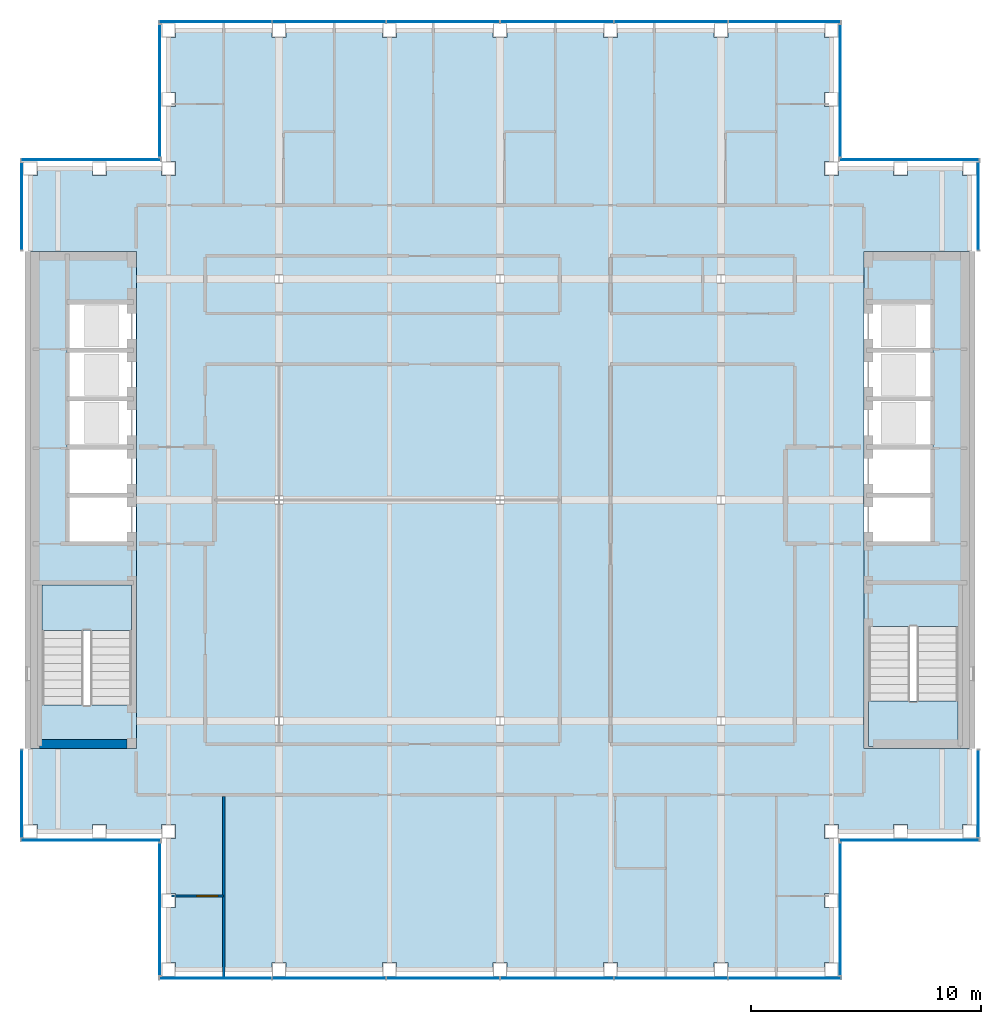
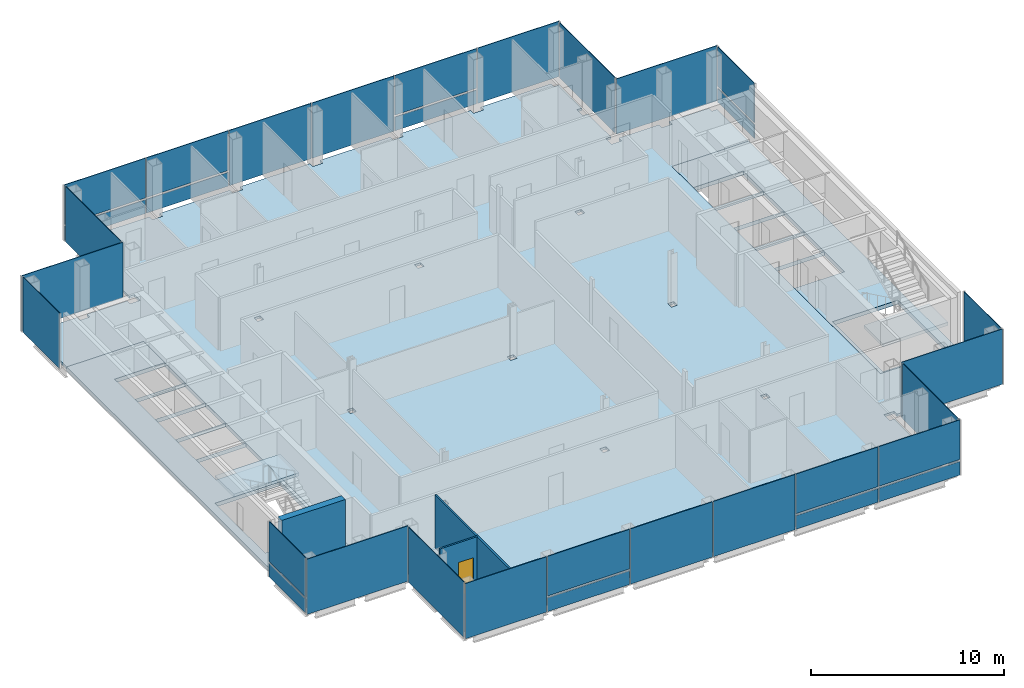
# One storey, part 9 of 15: 32 plates, 5 slabs, 3 walls, 1 door, 1 opening, 16 elements without a shape of their own.
"""IFC4 building model written with IfcOpenShell, lengths in metres."""

from ifc_helpers import new_model, si_unit, direction, frame, frame_2d, origin, origin_2d, place, context, subcontext, project, spatial, polyline, rectangle, outline, extrude, material, layer, layer_set, type_object, element, fill, aggregate, save


model = new_model("IFC4")

# Units and contexts
model_context = context("Model", 3, precision=1e-05, world=origin(), true_north=direction((0.0, 1.0)))
body_context = subcontext(model_context, "Body", "Model", "MODEL_VIEW")
ifc_project = project(units=[si_unit("LENGTHUNIT", "METRE"), si_unit("AREAUNIT", "SQUARE_METRE"), si_unit("VOLUMEUNIT", "CUBIC_METRE"), si_unit("PLANEANGLEUNIT", "RADIAN"), si_unit("MASSUNIT", "GRAM", prefix="KILO")], contexts=[model_context])

# Site, building, storey
site_placement = place(None, origin())
site = spatial("IfcSite", under=ifc_project, at=site_placement, CompositionType="ELEMENT")
building_placement = place(site_placement, origin())
building = spatial("IfcBuilding", under=site, at=building_placement, Name="Cobrizo Arcos Hotel Tower", CompositionType="ELEMENT")
storey_placement = place(building_placement, frame((0.0, 0.0, 251.5)))
storey = spatial("IfcBuildingStorey", under=building, at=storey_placement, Name="L66", CompositionType="ELEMENT", Elevation=251.5)

# Curtain wall, plates
ifc_material_1 = material(Name="Aluminium 6063-T6 anodised bronze", Category="aluminium")
curtain_wall_type = type_object("IfcCurtainWallType", Name="CW-A guest facade", PredefinedType="NOTDEFINED", material=ifc_material_1)
curtain_wall_1_placement = place(storey_placement, origin())
curtain_wall_1 = element("IfcCurtainWall", 1, at=curtain_wall_1_placement, inside=storey, type_object=curtain_wall_type, Name="CW-A L66 S face", PredefinedType="NOTDEFINED")
ifc_material_2 = material(Name="Glass clear laminated low-e", Category="glass")
ifc_layer_1 = layer(ifc_material_2, 0.0400390625)
ifc_layer_set_1 = layer_set([ifc_layer_1], Name="CW-A glass panel")
plate_type_1 = type_object("IfcPlateType", Name="CW-A glass panel", PredefinedType="CURTAIN_PANEL", material=ifc_layer_set_1)
plate_1_placement = place(storey_placement, frame((-7.425048828125, -20.77490234375, 0.990234375), z_axis=(0.0, 0.0, 1.0), x_axis=(1.0, 0.0, 0.0)))
plate_1 = element("IfcPlate", 2, at=plate_1_placement, type_object=plate_type_1, Name="CW-A glass panel 2085", PredefinedType="CURTAIN_PANEL", context=body_context, shape_type="SweptSolid", body=[
    extrude(rectangle(XDim=4.889892578125, YDim=0.0400390625, at=origin_2d()), origin(), (0.0, 0.0, 1.0), 2.510009765625),
])
plate_2_placement = place(storey_placement, frame((7.425048828125, -20.77490234375, 0.990234375), z_axis=(0.0, 0.0, 1.0), x_axis=(1.0, 0.0, 0.0)))
plate_2 = element("IfcPlate", 3, at=plate_2_placement, type_object=plate_type_1, Name="CW-A glass panel 2088", PredefinedType="CURTAIN_PANEL", context=body_context, shape_type="SweptSolid", body=[
    extrude(rectangle(XDim=4.889892578125, YDim=0.0400390625, at=origin_2d()), origin(), (0.0, 0.0, 1.0), 2.510009765625),
])
plate_3_placement = place(storey_placement, frame((12.360107421875, -20.77490234375, 0.990234375), z_axis=(0.0, 0.0, 1.0), x_axis=(1.0, 0.0, 0.0)))
plate_3 = element("IfcPlate", 4, at=plate_3_placement, type_object=plate_type_1, Name="CW-A glass panel 2089", PredefinedType="CURTAIN_PANEL", context=body_context, shape_type="SweptSolid", body=[
    extrude(rectangle(XDim=4.860107421875, YDim=0.0400390625, at=origin_2d()), origin(), (0.0, 0.0, 1.0), 2.510009765625),
])

# Curtain wall, plate
curtain_wall_2_placement = place(storey_placement, origin())
curtain_wall_2 = element("IfcCurtainWall", 5, at=curtain_wall_2_placement, inside=storey, type_object=curtain_wall_type, Name="CW-A L66 E face", PredefinedType="NOTDEFINED")
plate_4_placement = place(storey_placement, frame((20.77490234375, 12.75, 0.990234375), z_axis=(0.0, 0.0, 1.0), x_axis=(0.0, 1.0, 0.0)))
plate_4 = element("IfcPlate", 6, at=plate_4_placement, type_object=plate_type_1, Name="CW-A glass panel 2093", PredefinedType="CURTAIN_PANEL", context=body_context, shape_type="SweptSolid", body=[
    extrude(rectangle(XDim=3.780029296875, YDim=0.0400390625, at=origin_2d()), origin(), (0.0, 0.0, 1.0), 2.510009765625),
])

# Curtain wall, plates
curtain_wall_3_placement = place(storey_placement, origin())
curtain_wall_3 = element("IfcCurtainWall", 7, at=curtain_wall_3_placement, inside=storey, type_object=curtain_wall_type, Name="CW-A L66 N face", PredefinedType="NOTDEFINED")
plate_5_placement = place(storey_placement, frame((7.425048828125, 20.77490234375, 0.990234375), z_axis=(0.0, 0.0, 1.0), x_axis=(-1.0, 0.0, 0.0)))
plate_5 = element("IfcPlate", 8, at=plate_5_placement, type_object=plate_type_1, Name="CW-A glass panel 2097", PredefinedType="CURTAIN_PANEL", context=body_context, shape_type="SweptSolid", body=[
    extrude(rectangle(XDim=4.889892578125, YDim=0.0400390625, at=origin_2d()), origin(), (0.0, 0.0, 1.0), 2.510009765625),
])
plate_6_placement = place(storey_placement, frame((-7.425048828125, 20.77490234375, 0.990234375), z_axis=(0.0, 0.0, 1.0), x_axis=(-1.0, 0.0, 0.0)))
plate_6 = element("IfcPlate", 9, at=plate_6_placement, type_object=plate_type_1, Name="CW-A glass panel 2100", PredefinedType="CURTAIN_PANEL", context=body_context, shape_type="SweptSolid", body=[
    extrude(rectangle(XDim=4.889892578125, YDim=0.0400390625, at=origin_2d()), origin(), (0.0, 0.0, 1.0), 2.510009765625),
])
plate_7_placement = place(storey_placement, frame((-12.360107421875, 20.77490234375, 0.990234375), z_axis=(0.0, 0.0, 1.0), x_axis=(-1.0, 0.0, 0.0)))
plate_7 = element("IfcPlate", 10, at=plate_7_placement, type_object=plate_type_1, Name="CW-A glass panel 2101", PredefinedType="CURTAIN_PANEL", context=body_context, shape_type="SweptSolid", body=[
    extrude(rectangle(XDim=4.860107421875, YDim=0.0400390625, at=origin_2d()), origin(), (0.0, 0.0, 1.0), 2.510009765625),
])

# Curtain wall, plate
curtain_wall_4_placement = place(storey_placement, origin())
curtain_wall_4 = element("IfcCurtainWall", 11, at=curtain_wall_4_placement, inside=storey, type_object=curtain_wall_type, Name="CW-A L66 W face", PredefinedType="NOTDEFINED")
plate_8_placement = place(storey_placement, frame((-20.77490234375, -12.75, 0.990234375), z_axis=(0.0, 0.0, 1.0), x_axis=(0.0, -1.0, 0.0)))
plate_8 = element("IfcPlate", 12, at=plate_8_placement, type_object=plate_type_1, Name="CW-A glass panel 2105", PredefinedType="CURTAIN_PANEL", context=body_context, shape_type="SweptSolid", body=[
    extrude(rectangle(XDim=3.780029296875, YDim=0.0400390625, at=origin_2d()), origin(), (0.0, 0.0, 1.0), 2.510009765625),
])

# Plate
ifc_material_3 = material(Name="Aluminium composite panel pale metal", Category="aluminium")
ifc_layer_2 = layer(ifc_material_3, 0.0400390625)
ifc_layer_set_2 = layer_set([ifc_layer_2], Name="CW-A spandrel panel")
plate_type_2 = type_object("IfcPlateType", Name="CW-A spandrel panel", PredefinedType="CURTAIN_PANEL", material=ifc_layer_set_2)
plate_9_placement = place(storey_placement, frame((-12.360107421875, -20.77490234375, 0.0), z_axis=(0.0, 0.0, 1.0), x_axis=(1.0, 0.0, 0.0)))
plate_9 = element("IfcPlate", 13, at=plate_9_placement, type_object=plate_type_2, Name="CW-A spandrel panel 2084", PredefinedType="CURTAIN_PANEL", context=body_context, shape_type="SweptSolid", body=[
    extrude(rectangle(XDim=4.860107421875, YDim=0.0400390625, at=origin_2d()), origin(), (0.0, 0.0, 1.0), 3.5),
])

plate_10_placement = place(storey_placement, frame((-7.425048828125, -20.77490234375, 0.0), z_axis=(0.0, 0.0, 1.0), x_axis=(1.0, 0.0, 0.0)))
plate_10 = element("IfcPlate", 14, at=plate_10_placement, type_object=plate_type_2, Name="CW-A spandrel panel 2085", PredefinedType="CURTAIN_PANEL", context=body_context, shape_type="SweptSolid", body=[
    extrude(rectangle(XDim=4.889892578125, YDim=0.0400390625, at=origin_2d()), origin(), (0.0, 0.0, 1.0), 0.8701171875),
])

plate_11_placement = place(storey_placement, frame((-2.47509765625, -20.77490234375, 0.0), z_axis=(0.0, 0.0, 1.0), x_axis=(1.0, 0.0, 0.0)))
plate_11 = element("IfcPlate", 15, at=plate_11_placement, type_object=plate_type_2, Name="CW-A spandrel panel 2086", PredefinedType="CURTAIN_PANEL", context=body_context, shape_type="SweptSolid", body=[
    extrude(rectangle(XDim=4.889892578125, YDim=0.0400390625, at=origin_2d()), origin(), (0.0, 0.0, 1.0), 3.5),
])

plate_12_placement = place(storey_placement, frame((2.47509765625, -20.77490234375, 0.0), z_axis=(0.0, 0.0, 1.0), x_axis=(1.0, 0.0, 0.0)))
plate_12 = element("IfcPlate", 16, at=plate_12_placement, type_object=plate_type_2, Name="CW-A spandrel panel 2087", PredefinedType="CURTAIN_PANEL", context=body_context, shape_type="SweptSolid", body=[
    extrude(rectangle(XDim=4.889892578125, YDim=0.0400390625, at=origin_2d()), origin(), (0.0, 0.0, 1.0), 3.5),
])

plate_13_placement = place(storey_placement, frame((7.425048828125, -20.77490234375, 0.0), z_axis=(0.0, 0.0, 1.0), x_axis=(1.0, 0.0, 0.0)))
plate_13 = element("IfcPlate", 17, at=plate_13_placement, type_object=plate_type_2, Name="CW-A spandrel panel 2088", PredefinedType="CURTAIN_PANEL", context=body_context, shape_type="SweptSolid", body=[
    extrude(rectangle(XDim=4.889892578125, YDim=0.0400390625, at=origin_2d()), origin(), (0.0, 0.0, 1.0), 0.8701171875),
])

plate_14_placement = place(storey_placement, frame((12.360107421875, -20.77490234375, 0.0), z_axis=(0.0, 0.0, 1.0), x_axis=(1.0, 0.0, 0.0)))
plate_14 = element("IfcPlate", 18, at=plate_14_placement, type_object=plate_type_2, Name="CW-A spandrel panel 2089", PredefinedType="CURTAIN_PANEL", context=body_context, shape_type="SweptSolid", body=[
    extrude(rectangle(XDim=4.860107421875, YDim=0.0400390625, at=origin_2d()), origin(), (0.0, 0.0, 1.0), 0.8701171875),
])

aggregate(curtain_wall_1, [plate_9, plate_10, plate_1, plate_11, plate_12, plate_13, plate_2, plate_14, plate_3])

# Curtain wall, plate
curtain_wall_5_placement = place(storey_placement, origin())
curtain_wall_5 = element("IfcCurtainWall", 19, at=curtain_wall_5_placement, inside=storey, type_object=curtain_wall_type, Name="CW-A L66 E face", PredefinedType="NOTDEFINED")
plate_15_placement = place(storey_placement, frame((14.77490234375, -17.77490234375, 0.0), z_axis=(0.0, 0.0, 1.0), x_axis=(0.0, 1.0, 0.0)))
plate_15 = element("IfcPlate", 20, at=plate_15_placement, type_object=plate_type_2, Name="CW-A spandrel panel 2090", PredefinedType="CURTAIN_PANEL", context=body_context, shape_type="SweptSolid", body=[
    extrude(rectangle(XDim=5.72998046875, YDim=0.0400390625, at=origin_2d()), origin(), (0.0, 0.0, 1.0), 3.5),
])
aggregate(curtain_wall_5, [plate_15])

curtain_wall_6_placement = place(storey_placement, origin())
curtain_wall_6 = element("IfcCurtainWall", 21, at=curtain_wall_6_placement, inside=storey, type_object=curtain_wall_type, Name="CW-A L66 S face", PredefinedType="NOTDEFINED")
plate_16_placement = place(storey_placement, frame((17.77490234375, -14.77490234375, 0.0), z_axis=(0.0, 0.0, 1.0), x_axis=(1.0, 0.0, 0.0)))
plate_16 = element("IfcPlate", 22, at=plate_16_placement, type_object=plate_type_2, Name="CW-A spandrel panel 2091", PredefinedType="CURTAIN_PANEL", context=body_context, shape_type="SweptSolid", body=[
    extrude(rectangle(XDim=6.030029296875, YDim=0.0400390625, at=origin_2d()), origin(), (0.0, 0.0, 1.0), 3.5),
])
aggregate(curtain_wall_6, [plate_16])

curtain_wall_7_placement = place(storey_placement, origin())
curtain_wall_7 = element("IfcCurtainWall", 23, at=curtain_wall_7_placement, inside=storey, type_object=curtain_wall_type, Name="CW-A L66 E face", PredefinedType="NOTDEFINED")
plate_17_placement = place(storey_placement, frame((20.77490234375, -12.75, 0.0), z_axis=(0.0, 0.0, 1.0), x_axis=(0.0, 1.0, 0.0)))
plate_17 = element("IfcPlate", 24, at=plate_17_placement, type_object=plate_type_2, Name="CW-A spandrel panel 2092", PredefinedType="CURTAIN_PANEL", context=body_context, shape_type="SweptSolid", body=[
    extrude(rectangle(XDim=3.780029296875, YDim=0.0400390625, at=origin_2d()), origin(), (0.0, 0.0, 1.0), 3.5),
])
aggregate(curtain_wall_7, [plate_17])

# Plate
plate_18_placement = place(storey_placement, frame((20.77490234375, 12.75, 0.0), z_axis=(0.0, 0.0, 1.0), x_axis=(0.0, 1.0, 0.0)))
plate_18 = element("IfcPlate", 25, at=plate_18_placement, type_object=plate_type_2, Name="CW-A spandrel panel 2093", PredefinedType="CURTAIN_PANEL", context=body_context, shape_type="SweptSolid", body=[
    extrude(rectangle(XDim=3.780029296875, YDim=0.0400390625, at=origin_2d()), origin(), (0.0, 0.0, 1.0), 0.8701171875),
])

aggregate(curtain_wall_2, [plate_18, plate_4])

# Curtain wall, plate
curtain_wall_8_placement = place(storey_placement, origin())
curtain_wall_8 = element("IfcCurtainWall", 26, at=curtain_wall_8_placement, inside=storey, type_object=curtain_wall_type, Name="CW-A L66 N face", PredefinedType="NOTDEFINED")
plate_19_placement = place(storey_placement, frame((17.77490234375, 14.77490234375, 0.0), z_axis=(0.0, 0.0, 1.0), x_axis=(-1.0, 0.0, 0.0)))
plate_19 = element("IfcPlate", 27, at=plate_19_placement, type_object=plate_type_2, Name="CW-A spandrel panel 2094", PredefinedType="CURTAIN_PANEL", context=body_context, shape_type="SweptSolid", body=[
    extrude(rectangle(XDim=6.030029296875, YDim=0.0400390625, at=origin_2d()), origin(), (0.0, 0.0, 1.0), 3.5),
])
aggregate(curtain_wall_8, [plate_19])

curtain_wall_9_placement = place(storey_placement, origin())
curtain_wall_9 = element("IfcCurtainWall", 28, at=curtain_wall_9_placement, inside=storey, type_object=curtain_wall_type, Name="CW-A L66 E face", PredefinedType="NOTDEFINED")
plate_20_placement = place(storey_placement, frame((14.77490234375, 17.77490234375, 0.0), z_axis=(0.0, 0.0, 1.0), x_axis=(0.0, 1.0, 0.0)))
plate_20 = element("IfcPlate", 29, at=plate_20_placement, type_object=plate_type_2, Name="CW-A spandrel panel 2095", PredefinedType="CURTAIN_PANEL", context=body_context, shape_type="SweptSolid", body=[
    extrude(rectangle(XDim=5.72998046875, YDim=0.0400390625, at=origin_2d()), origin(), (0.0, 0.0, 1.0), 3.5),
])
aggregate(curtain_wall_9, [plate_20])

# Plate
plate_21_placement = place(storey_placement, frame((12.360107421875, 20.77490234375, 0.0), z_axis=(0.0, 0.0, 1.0), x_axis=(-1.0, 0.0, 0.0)))
plate_21 = element("IfcPlate", 30, at=plate_21_placement, type_object=plate_type_2, Name="CW-A spandrel panel 2096", PredefinedType="CURTAIN_PANEL", context=body_context, shape_type="SweptSolid", body=[
    extrude(rectangle(XDim=4.860107421875, YDim=0.0400390625, at=origin_2d()), origin(), (0.0, 0.0, 1.0), 3.5),
])

plate_22_placement = place(storey_placement, frame((7.425048828125, 20.77490234375, 0.0), z_axis=(0.0, 0.0, 1.0), x_axis=(-1.0, 0.0, 0.0)))
plate_22 = element("IfcPlate", 31, at=plate_22_placement, type_object=plate_type_2, Name="CW-A spandrel panel 2097", PredefinedType="CURTAIN_PANEL", context=body_context, shape_type="SweptSolid", body=[
    extrude(rectangle(XDim=4.889892578125, YDim=0.0400390625, at=origin_2d()), origin(), (0.0, 0.0, 1.0), 0.8701171875),
])

plate_23_placement = place(storey_placement, frame((2.47509765625, 20.77490234375, 0.0), z_axis=(0.0, 0.0, 1.0), x_axis=(-1.0, 0.0, 0.0)))
plate_23 = element("IfcPlate", 32, at=plate_23_placement, type_object=plate_type_2, Name="CW-A spandrel panel 2098", PredefinedType="CURTAIN_PANEL", context=body_context, shape_type="SweptSolid", body=[
    extrude(rectangle(XDim=4.889892578125, YDim=0.0400390625, at=origin_2d()), origin(), (0.0, 0.0, 1.0), 3.5),
])

plate_24_placement = place(storey_placement, frame((-2.47509765625, 20.77490234375, 0.0), z_axis=(0.0, 0.0, 1.0), x_axis=(-1.0, 0.0, 0.0)))
plate_24 = element("IfcPlate", 33, at=plate_24_placement, type_object=plate_type_2, Name="CW-A spandrel panel 2099", PredefinedType="CURTAIN_PANEL", context=body_context, shape_type="SweptSolid", body=[
    extrude(rectangle(XDim=4.889892578125, YDim=0.0400390625, at=origin_2d()), origin(), (0.0, 0.0, 1.0), 3.5),
])

plate_25_placement = place(storey_placement, frame((-7.425048828125, 20.77490234375, 0.0), z_axis=(0.0, 0.0, 1.0), x_axis=(-1.0, 0.0, 0.0)))
plate_25 = element("IfcPlate", 34, at=plate_25_placement, type_object=plate_type_2, Name="CW-A spandrel panel 2100", PredefinedType="CURTAIN_PANEL", context=body_context, shape_type="SweptSolid", body=[
    extrude(rectangle(XDim=4.889892578125, YDim=0.0400390625, at=origin_2d()), origin(), (0.0, 0.0, 1.0), 0.8701171875),
])

plate_26_placement = place(storey_placement, frame((-12.360107421875, 20.77490234375, 0.0), z_axis=(0.0, 0.0, 1.0), x_axis=(-1.0, 0.0, 0.0)))
plate_26 = element("IfcPlate", 35, at=plate_26_placement, type_object=plate_type_2, Name="CW-A spandrel panel 2101", PredefinedType="CURTAIN_PANEL", context=body_context, shape_type="SweptSolid", body=[
    extrude(rectangle(XDim=4.860107421875, YDim=0.0400390625, at=origin_2d()), origin(), (0.0, 0.0, 1.0), 0.8701171875),
])

aggregate(curtain_wall_3, [plate_21, plate_22, plate_5, plate_23, plate_24, plate_25, plate_6, plate_26, plate_7])

# Curtain wall, plate
curtain_wall_10_placement = place(storey_placement, origin())
curtain_wall_10 = element("IfcCurtainWall", 36, at=curtain_wall_10_placement, inside=storey, type_object=curtain_wall_type, Name="CW-A L66 W face", PredefinedType="NOTDEFINED")
plate_27_placement = place(storey_placement, frame((-14.77490234375, 17.77490234375, 0.0), z_axis=(0.0, 0.0, 1.0), x_axis=(0.0, -1.0, 0.0)))
plate_27 = element("IfcPlate", 37, at=plate_27_placement, type_object=plate_type_2, Name="CW-A spandrel panel 2102", PredefinedType="CURTAIN_PANEL", context=body_context, shape_type="SweptSolid", body=[
    extrude(rectangle(XDim=5.72998046875, YDim=0.0400390625, at=origin_2d()), origin(), (0.0, 0.0, 1.0), 3.5),
])
aggregate(curtain_wall_10, [plate_27])

curtain_wall_11_placement = place(storey_placement, origin())
curtain_wall_11 = element("IfcCurtainWall", 38, at=curtain_wall_11_placement, inside=storey, type_object=curtain_wall_type, Name="CW-A L66 N face", PredefinedType="NOTDEFINED")
plate_28_placement = place(storey_placement, frame((-17.77490234375, 14.77490234375, 0.0), z_axis=(0.0, 0.0, 1.0), x_axis=(-1.0, 0.0, 0.0)))
plate_28 = element("IfcPlate", 39, at=plate_28_placement, type_object=plate_type_2, Name="CW-A spandrel panel 2103", PredefinedType="CURTAIN_PANEL", context=body_context, shape_type="SweptSolid", body=[
    extrude(rectangle(XDim=6.030029296875, YDim=0.0400390625, at=origin_2d()), origin(), (0.0, 0.0, 1.0), 3.5),
])
aggregate(curtain_wall_11, [plate_28])

curtain_wall_12_placement = place(storey_placement, origin())
curtain_wall_12 = element("IfcCurtainWall", 40, at=curtain_wall_12_placement, inside=storey, type_object=curtain_wall_type, Name="CW-A L66 W face", PredefinedType="NOTDEFINED")
plate_29_placement = place(storey_placement, frame((-20.77490234375, 12.75, 0.0), z_axis=(0.0, 0.0, 1.0), x_axis=(0.0, -1.0, 0.0)))
plate_29 = element("IfcPlate", 41, at=plate_29_placement, type_object=plate_type_2, Name="CW-A spandrel panel 2104", PredefinedType="CURTAIN_PANEL", context=body_context, shape_type="SweptSolid", body=[
    extrude(rectangle(XDim=3.780029296875, YDim=0.0400390625, at=origin_2d()), origin(), (0.0, 0.0, 1.0), 3.5),
])
aggregate(curtain_wall_12, [plate_29])

# Plate
plate_30_placement = place(storey_placement, frame((-20.77490234375, -12.75, 0.0), z_axis=(0.0, 0.0, 1.0), x_axis=(0.0, -1.0, 0.0)))
plate_30 = element("IfcPlate", 42, at=plate_30_placement, type_object=plate_type_2, Name="CW-A spandrel panel 2105", PredefinedType="CURTAIN_PANEL", context=body_context, shape_type="SweptSolid", body=[
    extrude(rectangle(XDim=3.780029296875, YDim=0.0400390625, at=origin_2d()), origin(), (0.0, 0.0, 1.0), 0.8701171875),
])

aggregate(curtain_wall_4, [plate_30, plate_8])

# Curtain wall, plate
curtain_wall_13_placement = place(storey_placement, origin())
curtain_wall_13 = element("IfcCurtainWall", 43, at=curtain_wall_13_placement, inside=storey, type_object=curtain_wall_type, Name="CW-A L66 S face", PredefinedType="NOTDEFINED")
plate_31_placement = place(storey_placement, frame((-17.77490234375, -14.77490234375, 0.0), z_axis=(0.0, 0.0, 1.0), x_axis=(1.0, 0.0, 0.0)))
plate_31 = element("IfcPlate", 44, at=plate_31_placement, type_object=plate_type_2, Name="CW-A spandrel panel 2106", PredefinedType="CURTAIN_PANEL", context=body_context, shape_type="SweptSolid", body=[
    extrude(rectangle(XDim=6.030029296875, YDim=0.0400390625, at=origin_2d()), origin(), (0.0, 0.0, 1.0), 3.5),
])
aggregate(curtain_wall_13, [plate_31])

curtain_wall_14_placement = place(storey_placement, origin())
curtain_wall_14 = element("IfcCurtainWall", 45, at=curtain_wall_14_placement, inside=storey, type_object=curtain_wall_type, Name="CW-A L66 W face", PredefinedType="NOTDEFINED")
plate_32_placement = place(storey_placement, frame((-14.77490234375, -17.77490234375, 0.0), z_axis=(0.0, 0.0, 1.0), x_axis=(0.0, -1.0, 0.0)))
plate_32 = element("IfcPlate", 46, at=plate_32_placement, type_object=plate_type_2, Name="CW-A spandrel panel 2107", PredefinedType="CURTAIN_PANEL", context=body_context, shape_type="SweptSolid", body=[
    extrude(rectangle(XDim=5.72998046875, YDim=0.0400390625, at=origin_2d()), origin(), (0.0, 0.0, 1.0), 3.5),
])
aggregate(curtain_wall_14, [plate_32])

# Slabs
ifc_material_4 = material(Name="Concrete f'c 35 MPa", Category="concrete")
ifc_layer_3 = layer(ifc_material_4, 0.14990234375)
ifc_layer_set_3 = layer_set([ifc_layer_3], Name="Composite floor slab 150 f'c 35")
slab_type_1 = type_object("IfcSlabType", Name="Composite floor slab 150 f'c 35", PredefinedType="FLOOR", material=ifc_layer_set_3)
slab_1_placement = place(storey_placement, frame((0.0, 0.0, -0.14990234375)))
element("IfcSlab", 47, at=slab_1_placement, inside=storey, type_object=slab_type_1, Name="Floor slab S5, L66, no. 01", PredefinedType="FLOOR", context=body_context, shape_type="SweptSolid", body=[
    extrude(outline(polyline([(-14.10009765625, -20.39990234375), (-14.10009765625, -20.10009765625), (-14.39990234375, -20.10009765625), (-14.39990234375, -17.699951171875), (-14.10009765625, -17.699951171875), (-14.10009765625, -17.10009765625), (-14.39990234375, -17.10009765625), (-14.39990234375, -14.699951171875), (-14.10009765625, -14.699951171875), (-14.10009765625, -14.10009765625), (-14.699951171875, -14.10009765625), (-14.699951171875, -14.39990234375), (-17.10009765625, -14.39990234375), (-17.10009765625, -14.10009765625), (-17.699951171875, -14.10009765625), (-17.699951171875, -14.39990234375), (-20.10009765625, -14.39990234375), (-20.10009765625, -14.10009765625), (-20.39990234375, -14.10009765625), (-20.39990234375, -10.800048828125), (-15.800048828125, -10.800048828125), (-15.800048828125, 10.800048828125), (-20.39990234375, 10.800048828125), (-20.39990234375, 14.10009765625), (-20.10009765625, 14.10009765625), (-20.10009765625, 14.39990234375), (-17.699951171875, 14.39990234375), (-17.699951171875, 14.10009765625), (-17.10009765625, 14.10009765625), (-17.10009765625, 14.39990234375), (-14.699951171875, 14.39990234375), (-14.699951171875, 14.10009765625), (-14.10009765625, 14.10009765625), (-14.10009765625, 14.699951171875), (-14.39990234375, 14.699951171875), (-14.39990234375, 17.10009765625), (-14.10009765625, 17.10009765625), (-14.10009765625, 17.699951171875), (-14.39990234375, 17.699951171875), (-14.39990234375, 20.10009765625), (-14.10009765625, 20.10009765625), (-14.10009765625, 20.39990234375), (-9.89990234375, 20.39990234375), (-9.89990234375, 20.10009765625), (-9.300048828125, 20.10009765625), (-9.300048828125, 20.39990234375), (-5.10009765625, 20.39990234375), (-5.10009765625, 20.10009765625), (-4.5, 20.10009765625), (-4.5, 20.39990234375), (-0.300048828125, 20.39990234375), (-0.300048828125, 20.10009765625), (0.300048828125, 20.10009765625), (0.300048828125, 20.39990234375), (4.5, 20.39990234375), (4.5, 20.10009765625), (5.10009765625, 20.10009765625), (5.10009765625, 20.39990234375), (9.300048828125, 20.39990234375), (9.300048828125, 20.10009765625), (9.89990234375, 20.10009765625), (9.89990234375, 20.39990234375), (14.10009765625, 20.39990234375), (14.10009765625, 20.10009765625), (14.39990234375, 20.10009765625), (14.39990234375, 17.699951171875), (14.10009765625, 17.699951171875), (14.10009765625, 17.10009765625), (14.39990234375, 17.10009765625), (14.39990234375, 14.699951171875), (14.10009765625, 14.699951171875), (14.10009765625, 14.10009765625), (14.699951171875, 14.10009765625), (14.699951171875, 14.39990234375), (17.10009765625, 14.39990234375), (17.10009765625, 14.10009765625), (17.699951171875, 14.10009765625), (17.699951171875, 14.39990234375), (20.10009765625, 14.39990234375), (20.10009765625, 14.10009765625), (20.39990234375, 14.10009765625), (20.39990234375, 10.800048828125), (15.800048828125, 10.800048828125), (15.800048828125, -10.800048828125), (20.39990234375, -10.800048828125), (20.39990234375, -14.10009765625), (20.10009765625, -14.10009765625), (20.10009765625, -14.39990234375), (17.699951171875, -14.39990234375), (17.699951171875, -14.10009765625), (17.10009765625, -14.10009765625), (17.10009765625, -14.39990234375), (14.699951171875, -14.39990234375), (14.699951171875, -14.10009765625), (14.10009765625, -14.10009765625), (14.10009765625, -14.699951171875), (14.39990234375, -14.699951171875), (14.39990234375, -17.10009765625), (14.10009765625, -17.10009765625), (14.10009765625, -17.699951171875), (14.39990234375, -17.699951171875), (14.39990234375, -20.10009765625), (14.10009765625, -20.10009765625), (14.10009765625, -20.39990234375), (9.89990234375, -20.39990234375), (9.89990234375, -20.10009765625), (9.300048828125, -20.10009765625), (9.300048828125, -20.39990234375), (5.10009765625, -20.39990234375), (5.10009765625, -20.10009765625), (4.5, -20.10009765625), (4.5, -20.39990234375), (0.300048828125, -20.39990234375), (0.300048828125, -20.10009765625), (-0.300048828125, -20.10009765625), (-0.300048828125, -20.39990234375), (-4.5, -20.39990234375), (-4.5, -20.10009765625), (-5.10009765625, -20.10009765625), (-5.10009765625, -20.39990234375), (-9.300048828125, -20.39990234375), (-9.300048828125, -20.10009765625), (-9.89990234375, -20.10009765625), (-9.89990234375, -20.39990234375), (-14.10009765625, -20.39990234375)]), holes=[polyline([(-9.415771484375, -9.7841796875), (-9.415771484375, -9.415771484375), (-9.7841796875, -9.415771484375), (-9.7841796875, -9.7841796875), (-9.415771484375, -9.7841796875)]), polyline([(-9.415771484375, -0.18408203125), (-9.415771484375, 0.18408203125), (-9.7841796875, 0.18408203125), (-9.7841796875, -0.18408203125), (-9.415771484375, -0.18408203125)]), polyline([(-9.7841796875, 9.415771484375), (-9.415771484375, 9.415771484375), (-9.415771484375, 9.7841796875), (-9.7841796875, 9.7841796875), (-9.7841796875, 9.415771484375)]), polyline([(-0.18408203125, -9.7841796875), (0.18408203125, -9.7841796875), (0.18408203125, -9.415771484375), (-0.18408203125, -9.415771484375), (-0.18408203125, -9.7841796875)]), polyline([(9.415771484375, -9.7841796875), (9.7841796875, -9.7841796875), (9.7841796875, -9.415771484375), (9.415771484375, -9.415771484375), (9.415771484375, -9.7841796875)]), polyline([(0.18408203125, -0.18408203125), (0.18408203125, 0.18408203125), (-0.18408203125, 0.18408203125), (-0.18408203125, -0.18408203125), (0.18408203125, -0.18408203125)]), polyline([(9.7841796875, -0.18408203125), (9.7841796875, 0.18408203125), (9.415771484375, 0.18408203125), (9.415771484375, -0.18408203125), (9.7841796875, -0.18408203125)]), polyline([(0.18408203125, 9.415771484375), (0.18408203125, 9.7841796875), (-0.18408203125, 9.7841796875), (-0.18408203125, 9.415771484375), (0.18408203125, 9.415771484375)]), polyline([(9.415771484375, 9.415771484375), (9.7841796875, 9.415771484375), (9.7841796875, 9.7841796875), (9.415771484375, 9.7841796875), (9.415771484375, 9.415771484375)])]), origin(), (0.0, 0.0, 1.0), 0.14990234375),
])
ifc_material_5 = material(Name="Concrete f'c 40 MPa", Category="concrete")
ifc_layer_4 = layer(ifc_material_5, 0.25)
ifc_layer_set_4 = layer_set([ifc_layer_4], Name="RC core floor slab 250 f'c 40")
slab_type_2 = type_object("IfcSlabType", Name="RC core floor slab 250 f'c 40", PredefinedType="FLOOR", material=ifc_layer_set_4)
slab_2_placement = place(storey_placement, frame((0.0, 0.0, -0.25)))
element("IfcSlab", 48, at=slab_2_placement, inside=storey, type_object=slab_type_2, Name="Core floor slab CS7, east core, L66", PredefinedType="FLOOR", context=body_context, shape_type="SweptSolid", body=[
    extrude(outline(polyline([(15.800048828125, 10.800048828125), (20.39990234375, 10.800048828125), (20.39990234375, -10.800048828125), (15.800048828125, -10.800048828125), (15.800048828125, 10.800048828125)]), holes=[polyline([(19.89794921875, -10.697998046875), (19.89794921875, -5.501953125), (16.001953125, -5.501953125), (16.001953125, -10.697998046875), (19.89794921875, -10.697998046875)]), polyline([(15.802001953125, 0.197998046875), (15.802001953125, -1.89794921875), (18.798095703125, -1.89794921875), (18.798095703125, 0.197998046875), (15.802001953125, 0.197998046875)]), polyline([(15.802001953125, 2.298095703125), (15.802001953125, 0.201904296875), (18.798095703125, 0.201904296875), (18.798095703125, 2.298095703125), (15.802001953125, 2.298095703125)]), polyline([(15.802001953125, 4.39794921875), (15.802001953125, 2.302001953125), (18.798095703125, 2.302001953125), (18.798095703125, 4.39794921875), (15.802001953125, 4.39794921875)]), polyline([(18.798095703125, 6.498046875), (15.802001953125, 6.498046875), (15.802001953125, 4.402099609375), (18.798095703125, 4.402099609375), (18.798095703125, 6.498046875)]), polyline([(18.798095703125, 8.597900390625), (15.802001953125, 8.597900390625), (15.802001953125, 6.501953125), (18.798095703125, 6.501953125), (18.798095703125, 8.597900390625)])]), origin(), (0.0, 0.0, 1.0), 0.25),
])
slab_3_placement = place(storey_placement, frame((0.0, 0.0, -0.25)))
element("IfcSlab", 49, at=slab_3_placement, inside=storey, type_object=slab_type_2, Name="Core floor slab CS7, west core, L66", PredefinedType="FLOOR", context=body_context, shape_type="SweptSolid", body=[
    extrude(outline(polyline([(-20.39990234375, 10.800048828125), (-15.800048828125, 10.800048828125), (-15.800048828125, -10.800048828125), (-20.39990234375, -10.800048828125), (-20.39990234375, 10.800048828125)]), holes=[polyline([(-19.89794921875, -3.701904296875), (-19.89794921875, -8.89794921875), (-16.001953125, -8.89794921875), (-16.001953125, -3.701904296875), (-19.89794921875, -3.701904296875)]), polyline([(-18.798095703125, 0.197998046875), (-18.798095703125, -1.89794921875), (-15.802001953125, -1.89794921875), (-15.802001953125, 0.197998046875), (-18.798095703125, 0.197998046875)]), polyline([(-18.798095703125, 2.298095703125), (-18.798095703125, 0.201904296875), (-15.802001953125, 0.201904296875), (-15.802001953125, 2.298095703125), (-18.798095703125, 2.298095703125)]), polyline([(-18.798095703125, 4.39794921875), (-18.798095703125, 2.302001953125), (-15.802001953125, 2.302001953125), (-15.802001953125, 4.39794921875), (-18.798095703125, 4.39794921875)]), polyline([(-15.802001953125, 6.498046875), (-18.798095703125, 6.498046875), (-18.798095703125, 4.402099609375), (-15.802001953125, 4.402099609375), (-15.802001953125, 6.498046875)]), polyline([(-15.802001953125, 8.597900390625), (-18.798095703125, 8.597900390625), (-18.798095703125, 6.501953125), (-15.802001953125, 6.501953125), (-15.802001953125, 8.597900390625)])]), origin(), (0.0, 0.0, 1.0), 0.25),
])

# Stair, slab
stair_type = type_object("IfcStairType", Name="Exit stair", PredefinedType="HALF_TURN_STAIR", material=ifc_material_5)
stair_1_placement = place(storey_placement, origin())
stair_1 = element("IfcStair", 50, at=stair_1_placement, inside=storey, type_object=stair_type, Name="L66 Exit stair ST-W", PredefinedType="HALF_TURN_STAIR")
ifc_layer_5 = layer(ifc_material_5, 0.199951171875)
ifc_layer_set_5 = layer_set([ifc_layer_5], Name="Stair landing")
slab_type_3 = type_object("IfcSlabType", Name="Stair landing", PredefinedType="LANDING", material=ifc_layer_set_5)
slab_4_placement = place(storey_placement, frame((0.0, 0.0, 1.550048828125)))
slab_4 = element("IfcSlab", 51, at=slab_4_placement, type_object=slab_type_3, Name="ST-W landing 1", PredefinedType="LANDING", context=body_context, shape_type="SweptSolid", body=[
    extrude(outline(polyline([(-16.0, -5.659912109375), (-16.0, -3.699951171875), (-19.89990234375, -3.699951171875), (-19.89990234375, -5.659912109375), (-16.0, -5.659912109375)])), origin(), (0.0, 0.0, 1.0), 0.199951171875),
])
aggregate(stair_1, [slab_4])

stair_2_placement = place(storey_placement, origin())
stair_2 = element("IfcStair", 52, at=stair_2_placement, inside=storey, type_object=stair_type, Name="L66 Exit stair ST-E", PredefinedType="HALF_TURN_STAIR")
slab_5_placement = place(storey_placement, frame((0.0, 0.0, 1.550048828125)))
slab_5 = element("IfcSlab", 53, at=slab_5_placement, type_object=slab_type_3, Name="ST-E landing 1", PredefinedType="LANDING", context=body_context, shape_type="SweptSolid", body=[
    extrude(outline(polyline([(16.0, -8.739990234375), (16.0, -10.699951171875), (19.89990234375, -10.699951171875), (19.89990234375, -8.739990234375), (16.0, -8.739990234375)])), origin(), (0.0, 0.0, 1.0), 0.199951171875),
])
aggregate(stair_2, [slab_5])

# Wall, opening, door
ifc_material_6 = material(Name="Gypsum board partition")
ifc_layer_6 = layer(ifc_material_6, 0.10009765625)
ifc_layer_set_6 = layer_set([ifc_layer_6], Name="Partition EI 30 100")
wall_type_1 = type_object("IfcWallType", Name="Partition EI 30 100", PredefinedType="PARTITIONING", material=ifc_layer_set_6)
wall_1_placement = place(storey_placement, frame((-14.280029296875, -17.199951171875, 0.0), z_axis=(0.0, 0.0, 1.0), x_axis=(1.0, 0.0, 0.0)))
wall_1 = element("IfcWall", 54, at=wall_1_placement, inside=storey, type_object=wall_type_1, Name="Partition 001", PredefinedType="PARTITIONING", context=body_context, shape_type="SweptSolid", body=[
    extrude(rectangle(XDim=2.280029296875, YDim=0.10009765625, at=frame_2d((1.14013671875, 0.0))), origin(), (0.0, 0.0, 1.0), 3.35009765625),
])
opening_placement = place(wall_1_placement, frame((1.110107421875, 0.0, 0.0)))
opening = element("IfcOpeningElement", 55, at=opening_placement, cuts=wall_1, Name="Opening ED-06", PredefinedType="OPENING", context=body_context, shape_type="SweptSolid", body=[
    extrude(rectangle(XDim=0.89990234375, YDim=2.10009765625, at=frame_2d((0.449951171875, 1.050048828125))), frame((0.0, 0.06201171875, 0.0), z_axis=(0.0, -1.0, 0.0), x_axis=(1.0, 0.0, 0.0)), (0.0, 0.0, 1.0), 0.1240234375),
])
ifc_material_7 = material(Name="Timber door leaf", Category="wood")
door_type = type_object("IfcDoorType", Name="En-suite door 900x2100", OperationType="SINGLE_SWING_LEFT", PredefinedType="DOOR", material=ifc_material_7)
door_placement = place(opening_placement, origin())
door = element("IfcDoor", 56, at=door_placement, inside=storey, type_object=door_type, Name="Door ED-06", OperationType="SINGLE_SWING_LEFT", OverallHeight=2.10009765625, OverallWidth=0.89990234375, PredefinedType="DOOR", context=body_context, shape_type="SweptSolid", body=[
    extrude(rectangle(XDim=0.89990234375, YDim=2.10009765625, at=frame_2d((0.449951171875, 1.050048828125))), frame((0.0, 0.02490234375, 0.0), z_axis=(0.0, -1.0, 0.0), x_axis=(1.0, 0.0, 0.0)), (0.0, 0.0, 1.0), 0.050048828125),
])
fill(opening, door)

# Walls
wall_2_placement = place(storey_placement, frame((-12.0, -20.72998046875, 0.0), z_axis=(0.0, 0.0, 1.0), x_axis=(0.0, 1.0, 0.0)))
element("IfcWall", 57, at=wall_2_placement, inside=storey, type_object=wall_type_1, Name="Partition 056", PredefinedType="PARTITIONING", context=body_context, shape_type="SweptSolid", body=[
    extrude(rectangle(XDim=7.85498046875, YDim=0.10009765625, at=frame_2d((3.927490234375, 0.0))), origin(), (0.0, 0.0, 1.0), 3.35009765625),
])
ifc_layer_7 = layer(ifc_material_5, 0.39990234375)
ifc_layer_set_7 = layer_set([ifc_layer_7], Name="RC core wall 400 f'c 40")
wall_type_2 = type_object("IfcWallType", Name="RC core wall 400 f'c 40", PredefinedType="SHEAR", material=ifc_layer_set_7)
wall_3_placement = place(storey_placement, frame((-20.0, -10.60009765625, 0.0), z_axis=(0.0, 0.0, 1.0), x_axis=(1.0, 0.0, 0.0)))
element("IfcWall", 58, at=wall_3_placement, inside=storey, type_object=wall_type_2, Name="Core wall CW4, west core, south end, L66", PredefinedType="SHEAR", context=body_context, shape_type="SweptSolid", body=[
    extrude(rectangle(XDim=3.800048828125, YDim=0.39990234375, at=frame_2d((1.89990234375, 0.0))), origin(), (0.0, 0.0, 1.0), 3.25),
])

save(model, "model.ifc")
